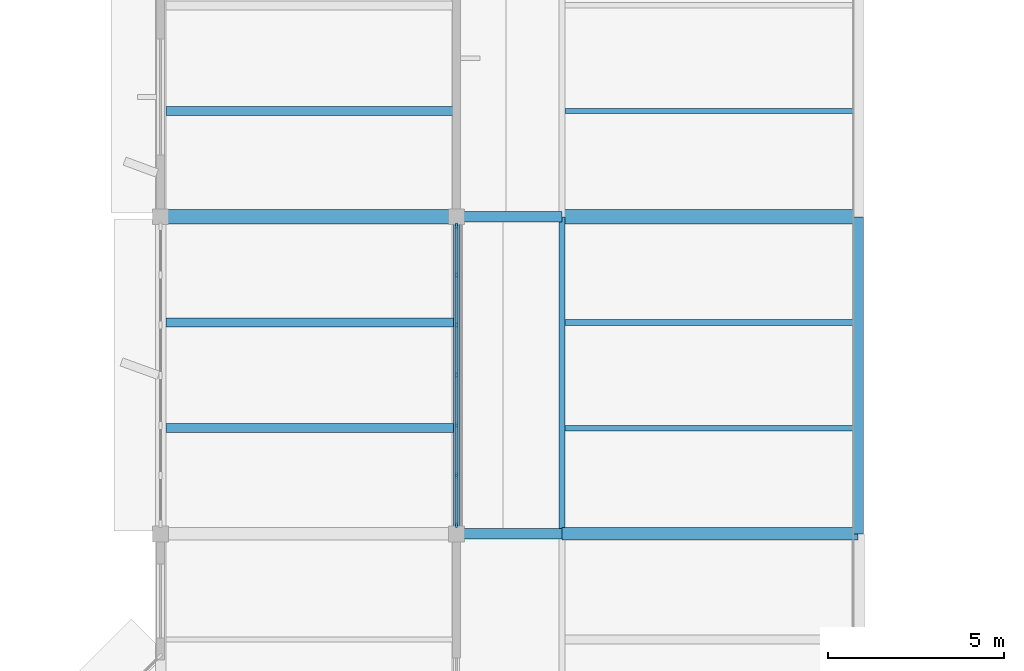
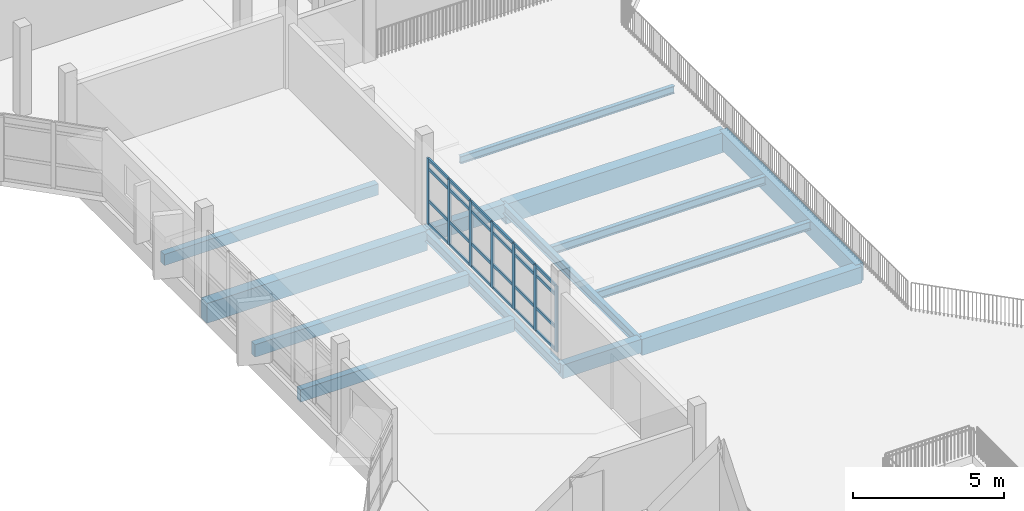
# One storey, part 8 of 42: 31 members, 14 beams, 1 element without a shape of its own.
"""IFC4 building model written with IfcOpenShell, lengths in metres."""

from ifc_helpers import new_model, si_unit, direction, frame, origin, origin_2d, place, context, subcontext, project, spatial, rectangle, i_section, extrude, material, material_profile, profile_set, type_object, element, aggregate, save


model = new_model("IFC4")

# Units and contexts
model_context = context("Model", 3, precision=1e-05, world=origin(), true_north=direction((0.0, 1.0)))
body_context = subcontext(model_context, "Body", "Model", "MODEL_VIEW")
ifc_project = project(units=[si_unit("LENGTHUNIT", "METRE"), si_unit("AREAUNIT", "SQUARE_METRE"), si_unit("VOLUMEUNIT", "CUBIC_METRE"), si_unit("PLANEANGLEUNIT", "RADIAN"), si_unit("MASSUNIT", "GRAM", prefix="KILO")], contexts=[model_context])

# Site, building, storey
site_placement = place(None, origin())
site = spatial("IfcSite", under=ifc_project, at=site_placement, CompositionType="ELEMENT")
building_placement = place(site_placement, origin())
building = spatial("IfcBuilding", under=site, at=building_placement, Name="Vanh Quang Courtyard School", CompositionType="ELEMENT")
storey_placement = place(building_placement, frame((0.0, 0.0, 15.0)))
storey = spatial("IfcBuildingStorey", under=building, at=storey_placement, Name="L04", CompositionType="ELEMENT", Elevation=15.0)

# Beams
ifc_material_1 = material(Name="Concrete C35/45", Category="concrete")
ifc_material_profile_1 = material_profile(ifc_material_1, rectangle(XDim=0.300048828125, YDim=0.550048828125, at=origin_2d()), Name="RC-BM 300x550")
ifc_profile_set_1 = profile_set([ifc_material_profile_1], Name="Concrete C35/45")
beam_type_1 = type_object("IfcBeamType", Name="BM-RC-300x550", PredefinedType="BEAM", material=ifc_profile_set_1)
for number, where, z_axis, x_axis, name in (
    (1, (74.39990234375, 50.39990234375, -0.594970703125), (1.0, 0.0, 0.0), (0.0, 1.0, 0.0), "Beam B-07 (L04)"),
    (2, (74.39990234375, 59.39990234375, -0.594970703125), (1.0, 0.0, 0.0), (0.0, 1.0, 0.0), "Beam B-07 (L04)"),
):
    element("IfcBeam", number, at=place(storey_placement, frame(where, z_axis=z_axis, x_axis=x_axis)), inside=storey, type_object=beam_type_1, Name=name, PredefinedType="BEAM", context=body_context, shape_type="SweptSolid", body=[
        extrude(rectangle(XDim=0.300048828125, YDim=0.550048828125, at=origin_2d()), origin(), (0.0, 0.0, 1.0), 3.0),
    ])
ifc_material_profile_2 = material_profile(ifc_material_1, rectangle(XDim=0.35009765625, YDim=0.64990234375, at=origin_2d()), Name="RC-BM 350x650")
ifc_profile_set_2 = profile_set([ifc_material_profile_2], Name="Concrete C35/45")
beam_type_2 = type_object("IfcBeamType", Name="BM-RC-350x650", PredefinedType="BEAM", material=ifc_profile_set_2)
beam_1_placement = place(storey_placement, frame((77.39990234375, 50.39990234375, -0.64501953125), z_axis=(1.0, 0.0, 0.0), x_axis=(0.0, 1.0, 0.0)))
element("IfcBeam", 3, at=beam_1_placement, inside=storey, type_object=beam_type_2, Name="Beam B-05 (L04)", PredefinedType="BEAM", context=body_context, shape_type="SweptSolid", body=[
    extrude(rectangle(XDim=0.35009765625, YDim=0.64990234375, at=origin_2d()), origin(), (0.0, 0.0, 1.0), 8.400146484375),
])
ifc_material_profile_3 = material_profile(ifc_material_1, rectangle(XDim=0.39990234375, YDim=0.800048828125, at=origin_2d()), Name="RC-BM 400x800")
ifc_profile_set_3 = profile_set([ifc_material_profile_3], Name="Concrete C35/45")
beam_type_3 = type_object("IfcBeamType", Name="BM-RC-400x800", PredefinedType="BEAM", material=ifc_profile_set_3)
beam_2_placement = place(storey_placement, frame((66.0, 59.39990234375, -0.719970703125), z_axis=(1.0, 0.0, 0.0), x_axis=(0.0, 1.0, 0.0)))
element("IfcBeam", 4, at=beam_2_placement, inside=storey, type_object=beam_type_3, Name="Beam B-02 (L04)", PredefinedType="BEAM", context=body_context, shape_type="SweptSolid", body=[
    extrude(rectangle(XDim=0.39990234375, YDim=0.800048828125, at=origin_2d()), origin(), (0.0, 0.0, 1.0), 8.39990234375),
])
beam_3_placement = place(storey_placement, frame((77.39990234375, 59.39990234375, -0.719970703125), z_axis=(1.0, 0.0, 0.0), x_axis=(0.0, 1.0, 0.0)))
element("IfcBeam", 5, at=beam_3_placement, inside=storey, type_object=beam_type_3, Name="Beam B-02 (L04)", PredefinedType="BEAM", context=body_context, shape_type="SweptSolid", body=[
    extrude(rectangle(XDim=0.39990234375, YDim=0.800048828125, at=origin_2d()), origin(), (0.0, 0.0, 1.0), 8.400146484375),
])
ifc_material_profile_4 = material_profile(ifc_material_1, rectangle(XDim=0.300048828125, YDim=0.699951171875, at=origin_2d()), Name="RC-SP 300x700")
ifc_profile_set_4 = profile_set([ifc_material_profile_4], Name="Concrete C35/45")
beam_type_4 = type_object("IfcBeamType", Name="BM-SP-300x700", PredefinedType="SPANDREL", material=ifc_profile_set_4)
beam_4_placement = place(storey_placement, frame((85.800048828125, 50.39990234375, -0.669921875), z_axis=(0.0, 1.0, 0.0), x_axis=(-1.0, 0.0, 0.0)))
element("IfcBeam", 6, at=beam_4_placement, inside=storey, type_object=beam_type_4, Name="Beam BS-01 (L04)", PredefinedType="SPANDREL", context=body_context, shape_type="SweptSolid", body=[
    extrude(rectangle(XDim=0.300048828125, YDim=0.699951171875, at=origin_2d()), origin(), (0.0, 0.0, 1.0), 9.0),
])
ifc_material_2 = material(Name="Structural steel EN 10025-2 S355J2", Category="steel")
ifc_material_profile_5 = material_profile(ifc_material_2, i_section(OverallWidth=0.169921875, OverallDepth=0.360107421875, WebThickness=0.008056640625, FlangeThickness=0.0126953125, FilletRadius=0.01806640625, at=origin_2d()), Name="IPE 360")
ifc_profile_set_5 = profile_set([ifc_material_profile_5], Name="Structural steel EN 10025-2 S355J2")
beam_type_5 = type_object("IfcBeamType", Name="BM-STL-IPE360", PredefinedType="BEAM", material=ifc_profile_set_5)
beam_5_placement = place(storey_placement, frame((77.39990234375, 50.39990234375, -0.5), z_axis=(0.0, 1.0, 0.0), x_axis=(-1.0, 0.0, 0.0)))
element("IfcBeam", 7, at=beam_5_placement, inside=storey, type_object=beam_type_5, Name="Beam SB-06 (L04)", PredefinedType="BEAM", context=body_context, shape_type="SweptSolid", body=[
    extrude(i_section(OverallWidth=0.169921875, OverallDepth=0.360107421875, WebThickness=0.008056640625, FlangeThickness=0.0126953125, FilletRadius=0.01806640625, at=origin_2d()), origin(), (0.0, 0.0, 1.0), 9.0),
])
ifc_material_profile_6 = material_profile(ifc_material_2, i_section(OverallWidth=0.179931640625, OverallDepth=0.39990234375, WebThickness=0.008544921875, FlangeThickness=0.013427734375, FilletRadius=0.02099609375, at=origin_2d()), Name="IPE 400")
ifc_profile_set_6 = profile_set([ifc_material_profile_6], Name="Structural steel EN 10025-2 S355J2")
beam_type_6 = type_object("IfcBeamType", Name="BM-STL-IPE400", PredefinedType="BEAM", material=ifc_profile_set_6)
beam_6_placement = place(storey_placement, frame((74.39990234375, 50.39990234375, -0.52001953125), z_axis=(0.0, 1.0, 0.0), x_axis=(-1.0, 0.0, 0.0)))
element("IfcBeam", 8, at=beam_6_placement, inside=storey, type_object=beam_type_6, Name="Beam SB-05 (L04)", PredefinedType="BEAM", context=body_context, shape_type="SweptSolid", body=[
    extrude(i_section(OverallWidth=0.179931640625, OverallDepth=0.39990234375, WebThickness=0.008544921875, FlangeThickness=0.013427734375, FilletRadius=0.02099609375, at=origin_2d()), origin(), (0.0, 0.0, 1.0), 9.0),
])

# Curtain wall, members
ifc_material_3 = material(Name="Thermally broken aluminium unitised curtain wall", Category="aluminium")
curtain_wall_type = type_object("IfcCurtainWallType", Name="CW-SYS-50", PredefinedType="NOTDEFINED", material=ifc_material_3)
curtain_wall_placement = place(storey_placement, origin())
curtain_wall = element("IfcCurtainWall", 9, at=curtain_wall_placement, inside=storey, type_object=curtain_wall_type, Name="Curtain Wall CW-50 (L04)", PredefinedType="NOTDEFINED")
ifc_material_4 = material(Name="Anodised aluminium 6063-T6", Category="aluminium")
ifc_material_profile_7 = material_profile(ifc_material_4, rectangle(XDim=0.06005859375, YDim=0.159912109375, at=origin_2d()), Name="ALU-MUL 60x160")
ifc_profile_set_7 = profile_set([ifc_material_profile_7], Name="Anodised aluminium 6063-T6")
member_type_1 = type_object("IfcMemberType", Name="CW-MUL-60x160", PredefinedType="MULLION", material=ifc_profile_set_7)
member_1_placement = place(storey_placement, frame((74.39990234375, 59.136962890625, 0.0), z_axis=(0.0, 0.0, 1.0), x_axis=(1.0, 0.0, 0.0)))
member_1 = element("IfcMember", 10, at=member_1_placement, type_object=member_type_1, Name="CW-50 mullion 1", PredefinedType="MULLION", context=body_context, shape_type="SweptSolid", body=[
    extrude(rectangle(XDim=0.06005859375, YDim=0.159912109375, at=origin_2d()), origin(), (0.0, 0.0, 1.0), 2.64990234375),
])
member_2_placement = place(storey_placement, frame((74.39990234375, 57.74462890625, 0.0), z_axis=(0.0, 0.0, 1.0), x_axis=(1.0, 0.0, 0.0)))
member_2 = element("IfcMember", 11, at=member_2_placement, type_object=member_type_1, Name="CW-50 mullion 2", PredefinedType="MULLION", context=body_context, shape_type="SweptSolid", body=[
    extrude(rectangle(XDim=0.06005859375, YDim=0.159912109375, at=origin_2d()), origin(), (0.0, 0.0, 1.0), 2.64990234375),
])
member_3_placement = place(storey_placement, frame((74.39990234375, 56.322265625, 0.0), z_axis=(0.0, 0.0, 1.0), x_axis=(1.0, 0.0, 0.0)))
member_3 = element("IfcMember", 12, at=member_3_placement, type_object=member_type_1, Name="CW-50 mullion 3", PredefinedType="MULLION", context=body_context, shape_type="SweptSolid", body=[
    extrude(rectangle(XDim=0.06005859375, YDim=0.159912109375, at=origin_2d()), origin(), (0.0, 0.0, 1.0), 2.64990234375),
])
member_4_placement = place(storey_placement, frame((74.39990234375, 54.89990234375, 0.0), z_axis=(0.0, 0.0, 1.0), x_axis=(1.0, 0.0, 0.0)))
member_4 = element("IfcMember", 13, at=member_4_placement, type_object=member_type_1, Name="CW-50 mullion 4", PredefinedType="MULLION", context=body_context, shape_type="SweptSolid", body=[
    extrude(rectangle(XDim=0.06005859375, YDim=0.159912109375, at=origin_2d()), origin(), (0.0, 0.0, 1.0), 2.64990234375),
])
member_5_placement = place(storey_placement, frame((74.39990234375, 53.477783203125, 0.0), z_axis=(0.0, 0.0, 1.0), x_axis=(1.0, 0.0, 0.0)))
member_5 = element("IfcMember", 14, at=member_5_placement, type_object=member_type_1, Name="CW-50 mullion 5", PredefinedType="MULLION", context=body_context, shape_type="SweptSolid", body=[
    extrude(rectangle(XDim=0.06005859375, YDim=0.159912109375, at=origin_2d()), origin(), (0.0, 0.0, 1.0), 2.64990234375),
])
member_6_placement = place(storey_placement, frame((74.39990234375, 52.055419921875, 0.0), z_axis=(0.0, 0.0, 1.0), x_axis=(1.0, 0.0, 0.0)))
member_6 = element("IfcMember", 15, at=member_6_placement, type_object=member_type_1, Name="CW-50 mullion 6", PredefinedType="MULLION", context=body_context, shape_type="SweptSolid", body=[
    extrude(rectangle(XDim=0.06005859375, YDim=0.159912109375, at=origin_2d()), origin(), (0.0, 0.0, 1.0), 2.64990234375),
])
member_7_placement = place(storey_placement, frame((74.39990234375, 50.6630859375, 0.0), z_axis=(0.0, 0.0, 1.0), x_axis=(1.0, 0.0, 0.0)))
member_7 = element("IfcMember", 16, at=member_7_placement, type_object=member_type_1, Name="CW-50 mullion 7", PredefinedType="MULLION", context=body_context, shape_type="SweptSolid", body=[
    extrude(rectangle(XDim=0.06005859375, YDim=0.159912109375, at=origin_2d()), origin(), (0.0, 0.0, 1.0), 2.64990234375),
])
ifc_material_profile_8 = material_profile(ifc_material_4, rectangle(XDim=0.06005859375, YDim=0.1201171875, at=origin_2d()), Name="ALU-TRN 60x120")
ifc_profile_set_8 = profile_set([ifc_material_profile_8], Name="Anodised aluminium 6063-T6")
member_type_2 = type_object("IfcMemberType", Name="CW-TRN-60x120", PredefinedType="USERDEFINED", material=ifc_profile_set_8)
member_8_placement = place(storey_placement, frame((74.39990234375, 59.10693359375, 0.030029296875), z_axis=(0.0, -1.0, 0.0), x_axis=(1.0, 0.0, 0.0)))
member_8 = element("IfcMember", 17, at=member_8_placement, type_object=member_type_2, Name="CW-50 transom 1.1", ObjectType="TRANSOM", PredefinedType="USERDEFINED", context=body_context, shape_type="SweptSolid", body=[
    extrude(rectangle(XDim=0.06005859375, YDim=0.1201171875, at=origin_2d()), origin(), (0.0, 0.0, 1.0), 1.332275390625),
])
member_9_placement = place(storey_placement, frame((74.39990234375, 59.10693359375, 0.949951171875), z_axis=(0.0, -1.0, 0.0), x_axis=(1.0, 0.0, 0.0)))
member_9 = element("IfcMember", 18, at=member_9_placement, type_object=member_type_2, Name="CW-50 transom 1.2", ObjectType="TRANSOM", PredefinedType="USERDEFINED", context=body_context, shape_type="SweptSolid", body=[
    extrude(rectangle(XDim=0.06005859375, YDim=0.1201171875, at=origin_2d()), origin(), (0.0, 0.0, 1.0), 1.332275390625),
])
member_10_placement = place(storey_placement, frame((74.39990234375, 59.10693359375, 2.25), z_axis=(0.0, -1.0, 0.0), x_axis=(1.0, 0.0, 0.0)))
member_10 = element("IfcMember", 19, at=member_10_placement, type_object=member_type_2, Name="CW-50 transom 1.3", ObjectType="TRANSOM", PredefinedType="USERDEFINED", context=body_context, shape_type="SweptSolid", body=[
    extrude(rectangle(XDim=0.06005859375, YDim=0.1201171875, at=origin_2d()), origin(), (0.0, 0.0, 1.0), 1.332275390625),
])
member_11_placement = place(storey_placement, frame((74.39990234375, 59.10693359375, 2.6201171875), z_axis=(0.0, -1.0, 0.0), x_axis=(1.0, 0.0, 0.0)))
member_11 = element("IfcMember", 20, at=member_11_placement, type_object=member_type_2, Name="CW-50 transom 1.4", ObjectType="TRANSOM", PredefinedType="USERDEFINED", context=body_context, shape_type="SweptSolid", body=[
    extrude(rectangle(XDim=0.06005859375, YDim=0.1201171875, at=origin_2d()), origin(), (0.0, 0.0, 1.0), 1.332275390625),
])
member_12_placement = place(storey_placement, frame((74.39990234375, 57.714599609375, 0.030029296875), z_axis=(0.0, -1.0, 0.0), x_axis=(1.0, 0.0, 0.0)))
member_12 = element("IfcMember", 21, at=member_12_placement, type_object=member_type_2, Name="CW-50 transom 2.1", ObjectType="TRANSOM", PredefinedType="USERDEFINED", context=body_context, shape_type="SweptSolid", body=[
    extrude(rectangle(XDim=0.06005859375, YDim=0.1201171875, at=origin_2d()), origin(), (0.0, 0.0, 1.0), 1.3623046875),
])
member_13_placement = place(storey_placement, frame((74.39990234375, 57.714599609375, 0.949951171875), z_axis=(0.0, -1.0, 0.0), x_axis=(1.0, 0.0, 0.0)))
member_13 = element("IfcMember", 22, at=member_13_placement, type_object=member_type_2, Name="CW-50 transom 2.2", ObjectType="TRANSOM", PredefinedType="USERDEFINED", context=body_context, shape_type="SweptSolid", body=[
    extrude(rectangle(XDim=0.06005859375, YDim=0.1201171875, at=origin_2d()), origin(), (0.0, 0.0, 1.0), 1.3623046875),
])
member_14_placement = place(storey_placement, frame((74.39990234375, 57.714599609375, 2.25), z_axis=(0.0, -1.0, 0.0), x_axis=(1.0, 0.0, 0.0)))
member_14 = element("IfcMember", 23, at=member_14_placement, type_object=member_type_2, Name="CW-50 transom 2.3", ObjectType="TRANSOM", PredefinedType="USERDEFINED", context=body_context, shape_type="SweptSolid", body=[
    extrude(rectangle(XDim=0.06005859375, YDim=0.1201171875, at=origin_2d()), origin(), (0.0, 0.0, 1.0), 1.3623046875),
])
member_15_placement = place(storey_placement, frame((74.39990234375, 57.714599609375, 2.6201171875), z_axis=(0.0, -1.0, 0.0), x_axis=(1.0, 0.0, 0.0)))
member_15 = element("IfcMember", 24, at=member_15_placement, type_object=member_type_2, Name="CW-50 transom 2.4", ObjectType="TRANSOM", PredefinedType="USERDEFINED", context=body_context, shape_type="SweptSolid", body=[
    extrude(rectangle(XDim=0.06005859375, YDim=0.1201171875, at=origin_2d()), origin(), (0.0, 0.0, 1.0), 1.3623046875),
])
member_16_placement = place(storey_placement, frame((74.39990234375, 56.292236328125, 0.030029296875), z_axis=(0.0, -1.0, 0.0), x_axis=(1.0, 0.0, 0.0)))
member_16 = element("IfcMember", 25, at=member_16_placement, type_object=member_type_2, Name="CW-50 transom 3.1", ObjectType="TRANSOM", PredefinedType="USERDEFINED", context=body_context, shape_type="SweptSolid", body=[
    extrude(rectangle(XDim=0.06005859375, YDim=0.1201171875, at=origin_2d()), origin(), (0.0, 0.0, 1.0), 1.3623046875),
])
member_17_placement = place(storey_placement, frame((74.39990234375, 56.292236328125, 0.949951171875), z_axis=(0.0, -1.0, 0.0), x_axis=(1.0, 0.0, 0.0)))
member_17 = element("IfcMember", 26, at=member_17_placement, type_object=member_type_2, Name="CW-50 transom 3.2", ObjectType="TRANSOM", PredefinedType="USERDEFINED", context=body_context, shape_type="SweptSolid", body=[
    extrude(rectangle(XDim=0.06005859375, YDim=0.1201171875, at=origin_2d()), origin(), (0.0, 0.0, 1.0), 1.3623046875),
])
member_18_placement = place(storey_placement, frame((74.39990234375, 56.292236328125, 2.25), z_axis=(0.0, -1.0, 0.0), x_axis=(1.0, 0.0, 0.0)))
member_18 = element("IfcMember", 27, at=member_18_placement, type_object=member_type_2, Name="CW-50 transom 3.3", ObjectType="TRANSOM", PredefinedType="USERDEFINED", context=body_context, shape_type="SweptSolid", body=[
    extrude(rectangle(XDim=0.06005859375, YDim=0.1201171875, at=origin_2d()), origin(), (0.0, 0.0, 1.0), 1.3623046875),
])
member_19_placement = place(storey_placement, frame((74.39990234375, 56.292236328125, 2.6201171875), z_axis=(0.0, -1.0, 0.0), x_axis=(1.0, 0.0, 0.0)))
member_19 = element("IfcMember", 28, at=member_19_placement, type_object=member_type_2, Name="CW-50 transom 3.4", ObjectType="TRANSOM", PredefinedType="USERDEFINED", context=body_context, shape_type="SweptSolid", body=[
    extrude(rectangle(XDim=0.06005859375, YDim=0.1201171875, at=origin_2d()), origin(), (0.0, 0.0, 1.0), 1.3623046875),
])
member_20_placement = place(storey_placement, frame((74.39990234375, 54.8701171875, 0.030029296875), z_axis=(0.0, -1.0, 0.0), x_axis=(1.0, 0.0, 0.0)))
member_20 = element("IfcMember", 29, at=member_20_placement, type_object=member_type_2, Name="CW-50 transom 4.1", ObjectType="TRANSOM", PredefinedType="USERDEFINED", context=body_context, shape_type="SweptSolid", body=[
    extrude(rectangle(XDim=0.06005859375, YDim=0.1201171875, at=origin_2d()), origin(), (0.0, 0.0, 1.0), 1.362548828125),
])
member_21_placement = place(storey_placement, frame((74.39990234375, 54.8701171875, 0.949951171875), z_axis=(0.0, -1.0, 0.0), x_axis=(1.0, 0.0, 0.0)))
member_21 = element("IfcMember", 30, at=member_21_placement, type_object=member_type_2, Name="CW-50 transom 4.2", ObjectType="TRANSOM", PredefinedType="USERDEFINED", context=body_context, shape_type="SweptSolid", body=[
    extrude(rectangle(XDim=0.06005859375, YDim=0.1201171875, at=origin_2d()), origin(), (0.0, 0.0, 1.0), 1.362548828125),
])
member_22_placement = place(storey_placement, frame((74.39990234375, 54.8701171875, 2.25), z_axis=(0.0, -1.0, 0.0), x_axis=(1.0, 0.0, 0.0)))
member_22 = element("IfcMember", 31, at=member_22_placement, type_object=member_type_2, Name="CW-50 transom 4.3", ObjectType="TRANSOM", PredefinedType="USERDEFINED", context=body_context, shape_type="SweptSolid", body=[
    extrude(rectangle(XDim=0.06005859375, YDim=0.1201171875, at=origin_2d()), origin(), (0.0, 0.0, 1.0), 1.362548828125),
])
member_23_placement = place(storey_placement, frame((74.39990234375, 54.8701171875, 2.6201171875), z_axis=(0.0, -1.0, 0.0), x_axis=(1.0, 0.0, 0.0)))
member_23 = element("IfcMember", 32, at=member_23_placement, type_object=member_type_2, Name="CW-50 transom 4.4", ObjectType="TRANSOM", PredefinedType="USERDEFINED", context=body_context, shape_type="SweptSolid", body=[
    extrude(rectangle(XDim=0.06005859375, YDim=0.1201171875, at=origin_2d()), origin(), (0.0, 0.0, 1.0), 1.362548828125),
])
member_24_placement = place(storey_placement, frame((74.39990234375, 53.44775390625, 0.030029296875), z_axis=(0.0, -1.0, 0.0), x_axis=(1.0, 0.0, 0.0)))
member_24 = element("IfcMember", 33, at=member_24_placement, type_object=member_type_2, Name="CW-50 transom 5.1", ObjectType="TRANSOM", PredefinedType="USERDEFINED", context=body_context, shape_type="SweptSolid", body=[
    extrude(rectangle(XDim=0.06005859375, YDim=0.1201171875, at=origin_2d()), origin(), (0.0, 0.0, 1.0), 1.3623046875),
])
member_25_placement = place(storey_placement, frame((74.39990234375, 53.44775390625, 0.949951171875), z_axis=(0.0, -1.0, 0.0), x_axis=(1.0, 0.0, 0.0)))
member_25 = element("IfcMember", 34, at=member_25_placement, type_object=member_type_2, Name="CW-50 transom 5.2", ObjectType="TRANSOM", PredefinedType="USERDEFINED", context=body_context, shape_type="SweptSolid", body=[
    extrude(rectangle(XDim=0.06005859375, YDim=0.1201171875, at=origin_2d()), origin(), (0.0, 0.0, 1.0), 1.3623046875),
])
member_26_placement = place(storey_placement, frame((74.39990234375, 53.44775390625, 2.25), z_axis=(0.0, -1.0, 0.0), x_axis=(1.0, 0.0, 0.0)))
member_26 = element("IfcMember", 35, at=member_26_placement, type_object=member_type_2, Name="CW-50 transom 5.3", ObjectType="TRANSOM", PredefinedType="USERDEFINED", context=body_context, shape_type="SweptSolid", body=[
    extrude(rectangle(XDim=0.06005859375, YDim=0.1201171875, at=origin_2d()), origin(), (0.0, 0.0, 1.0), 1.3623046875),
])
member_27_placement = place(storey_placement, frame((74.39990234375, 53.44775390625, 2.6201171875), z_axis=(0.0, -1.0, 0.0), x_axis=(1.0, 0.0, 0.0)))
member_27 = element("IfcMember", 36, at=member_27_placement, type_object=member_type_2, Name="CW-50 transom 5.4", ObjectType="TRANSOM", PredefinedType="USERDEFINED", context=body_context, shape_type="SweptSolid", body=[
    extrude(rectangle(XDim=0.06005859375, YDim=0.1201171875, at=origin_2d()), origin(), (0.0, 0.0, 1.0), 1.3623046875),
])
member_28_placement = place(storey_placement, frame((74.39990234375, 52.025390625, 0.030029296875), z_axis=(0.0, -1.0, 0.0), x_axis=(1.0, 0.0, 0.0)))
member_28 = element("IfcMember", 37, at=member_28_placement, type_object=member_type_2, Name="CW-50 transom 6.1", ObjectType="TRANSOM", PredefinedType="USERDEFINED", context=body_context, shape_type="SweptSolid", body=[
    extrude(rectangle(XDim=0.06005859375, YDim=0.1201171875, at=origin_2d()), origin(), (0.0, 0.0, 1.0), 1.332275390625),
])
member_29_placement = place(storey_placement, frame((74.39990234375, 52.025390625, 0.949951171875), z_axis=(0.0, -1.0, 0.0), x_axis=(1.0, 0.0, 0.0)))
member_29 = element("IfcMember", 38, at=member_29_placement, type_object=member_type_2, Name="CW-50 transom 6.2", ObjectType="TRANSOM", PredefinedType="USERDEFINED", context=body_context, shape_type="SweptSolid", body=[
    extrude(rectangle(XDim=0.06005859375, YDim=0.1201171875, at=origin_2d()), origin(), (0.0, 0.0, 1.0), 1.332275390625),
])
member_30_placement = place(storey_placement, frame((74.39990234375, 52.025390625, 2.25), z_axis=(0.0, -1.0, 0.0), x_axis=(1.0, 0.0, 0.0)))
member_30 = element("IfcMember", 39, at=member_30_placement, type_object=member_type_2, Name="CW-50 transom 6.3", ObjectType="TRANSOM", PredefinedType="USERDEFINED", context=body_context, shape_type="SweptSolid", body=[
    extrude(rectangle(XDim=0.06005859375, YDim=0.1201171875, at=origin_2d()), origin(), (0.0, 0.0, 1.0), 1.332275390625),
])
member_31_placement = place(storey_placement, frame((74.39990234375, 52.025390625, 2.6201171875), z_axis=(0.0, -1.0, 0.0), x_axis=(1.0, 0.0, 0.0)))
member_31 = element("IfcMember", 40, at=member_31_placement, type_object=member_type_2, Name="CW-50 transom 6.4", ObjectType="TRANSOM", PredefinedType="USERDEFINED", context=body_context, shape_type="SweptSolid", body=[
    extrude(rectangle(XDim=0.06005859375, YDim=0.1201171875, at=origin_2d()), origin(), (0.0, 0.0, 1.0), 1.332275390625),
])
aggregate(curtain_wall, [member_1, member_2, member_3, member_4, member_5, member_6, member_7, member_8, member_9, member_10, member_11, member_12, member_13, member_14, member_15, member_16, member_17, member_18, member_19, member_20, member_21, member_22, member_23, member_24, member_25, member_26, member_27, member_28, member_29, member_30, member_31])

# Beams
ifc_material_5 = material(Name="Concrete C30/37", Category="concrete")
ifc_material_profile_9 = material_profile(ifc_material_5, rectangle(XDim=0.25, YDim=0.449951171875, at=origin_2d()), Name="RC-JST 250x450")
ifc_profile_set_9 = profile_set([ifc_material_profile_9], Name="Concrete C30/37")
beam_type_7 = type_object("IfcBeamType", Name="JST-RC-250x450", PredefinedType="JOIST", material=ifc_profile_set_9)
beam_7_placement = place(storey_placement, frame((66.14990234375, 62.39990234375, -0.485107421875), z_axis=(1.0, 0.0, 0.0), x_axis=(0.0, 1.0, 0.0)))
element("IfcBeam", 41, at=beam_7_placement, inside=storey, type_object=beam_type_7, Name="Beam BJ-02 (L04)", PredefinedType="JOIST", context=body_context, shape_type="SweptSolid", body=[
    extrude(rectangle(XDim=0.25, YDim=0.449951171875, at=origin_2d()), origin(), (0.0, 0.0, 1.0), 8.16015625),
])
ifc_material_profile_10 = material_profile(ifc_material_5, rectangle(XDim=0.25, YDim=0.5, at=origin_2d()), Name="RC-JST 250x500")
ifc_profile_set_10 = profile_set([ifc_material_profile_10], Name="Concrete C30/37")
beam_type_8 = type_object("IfcBeamType", Name="JST-RC-250x500", PredefinedType="JOIST", material=ifc_profile_set_10)
for number, where, z_axis, x_axis, name in (
    (42, (66.14990234375, 53.39990234375, -0.510009765625), (1.0, 0.0, 0.0), (0.0, 1.0, 0.0), "Beam BJ-01 (L04)"),
    (43, (66.14990234375, 56.39990234375, -0.510009765625), (1.0, 0.0, 0.0), (0.0, 1.0, 0.0), "Beam BJ-01 (L04)"),
):
    element("IfcBeam", number, at=place(storey_placement, frame(where, z_axis=z_axis, x_axis=x_axis)), inside=storey, type_object=beam_type_8, Name=name, PredefinedType="JOIST", context=body_context, shape_type="SweptSolid", body=[
        extrude(rectangle(XDim=0.25, YDim=0.5, at=origin_2d()), origin(), (0.0, 0.0, 1.0), 8.16015625),
    ])
ifc_material_profile_11 = material_profile(ifc_material_2, i_section(OverallWidth=0.14990234375, OverallDepth=0.300048828125, WebThickness=0.007080078125, FlangeThickness=0.0107421875, FilletRadius=0.014892578125, at=origin_2d()), Name="IPE 300")
ifc_profile_set_11 = profile_set([ifc_material_profile_11], Name="Structural steel EN 10025-2 S355J2")
beam_type_9 = type_object("IfcBeamType", Name="JST-STL-IPE300", PredefinedType="JOIST", material=ifc_profile_set_11)
beam_8_placement = place(storey_placement, frame((77.485107421875, 62.39990234375, -0.469970703125), z_axis=(1.0, 0.0, 0.0), x_axis=(0.0, 1.0, 0.0)))
element("IfcBeam", 44, at=beam_8_placement, inside=storey, type_object=beam_type_9, Name="Beam SJ-02 (L04)", PredefinedType="JOIST", context=body_context, shape_type="SweptSolid", body=[
    extrude(i_section(OverallWidth=0.14990234375, OverallDepth=0.300048828125, WebThickness=0.007080078125, FlangeThickness=0.0107421875, FilletRadius=0.014892578125, at=origin_2d()), origin(), (0.0, 0.0, 1.0), 8.164794921875),
])
ifc_material_profile_12 = material_profile(ifc_material_2, i_section(OverallWidth=0.159912109375, OverallDepth=0.330078125, WebThickness=0.007568359375, FlangeThickness=0.011474609375, FilletRadius=0.01806640625, at=origin_2d()), Name="IPE 330")
ifc_profile_set_12 = profile_set([ifc_material_profile_12], Name="Structural steel EN 10025-2 S355J2")
beam_type_10 = type_object("IfcBeamType", Name="JST-STL-IPE330", PredefinedType="JOIST", material=ifc_profile_set_12)
for number, where, z_axis, x_axis, name in (
    (45, (77.485107421875, 53.39990234375, -0.485107421875), (1.0, 0.0, 0.0), (0.0, 1.0, 0.0), "Beam SJ-01 (L04)"),
    (46, (77.485107421875, 56.39990234375, -0.485107421875), (1.0, 0.0, 0.0), (0.0, 1.0, 0.0), "Beam SJ-01 (L04)"),
):
    element("IfcBeam", number, at=place(storey_placement, frame(where, z_axis=z_axis, x_axis=x_axis)), inside=storey, type_object=beam_type_10, Name=name, PredefinedType="JOIST", context=body_context, shape_type="SweptSolid", body=[
        extrude(i_section(OverallWidth=0.159912109375, OverallDepth=0.330078125, WebThickness=0.007568359375, FlangeThickness=0.011474609375, FilletRadius=0.01806640625, at=origin_2d()), origin(), (0.0, 0.0, 1.0), 8.164794921875),
    ])

save(model, "model.ifc")
